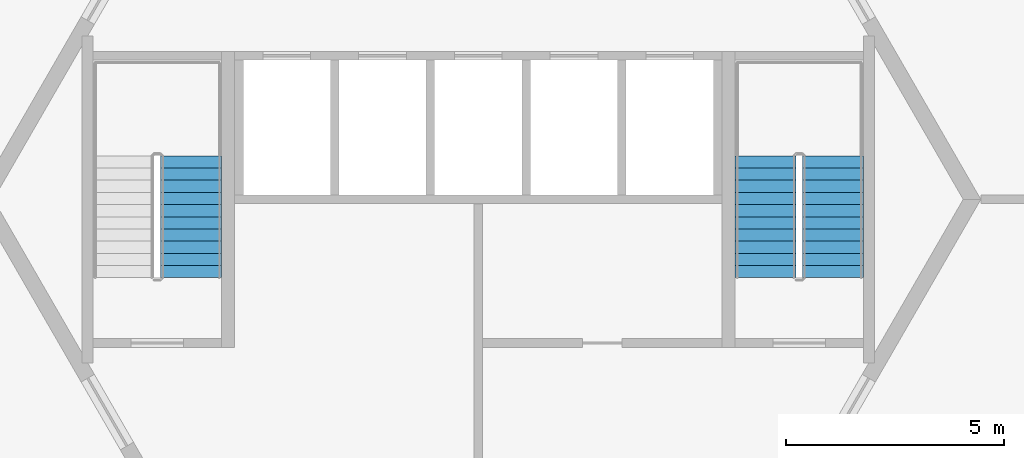
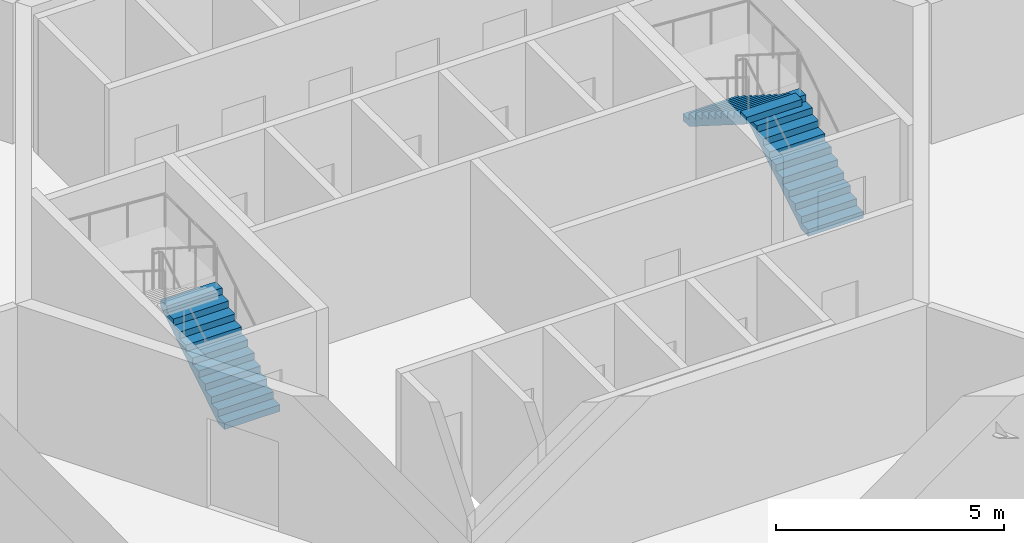
# One storey, part 11 of 12: 3 stair flights, 2 elements without a shape of their own.
"""IFC4 building model written with IfcOpenShell, lengths in metres."""

from ifc_helpers import new_model, si_unit, direction, frame, origin, place, context, subcontext, project, spatial, polyline, outline, extrude, material, type_object, element, aggregate, save


model = new_model("IFC4")

# Units and contexts
model_context = context("Model", 3, precision=1e-05, world=origin(), true_north=direction((0.0, 1.0)))
body_context = subcontext(model_context, "Body", "Model", "MODEL_VIEW")
ifc_project = project(units=[si_unit("LENGTHUNIT", "METRE"), si_unit("AREAUNIT", "SQUARE_METRE"), si_unit("VOLUMEUNIT", "CUBIC_METRE"), si_unit("PLANEANGLEUNIT", "RADIAN"), si_unit("MASSUNIT", "GRAM", prefix="KILO")], contexts=[model_context])

# Site, building, storey
site_placement = place(None, origin())
site = spatial("IfcSite", under=ifc_project, at=site_placement, CompositionType="ELEMENT")
building_placement = place(site_placement, origin())
building = spatial("IfcBuilding", under=site, at=building_placement, Name="Tarnside Tower", CompositionType="ELEMENT")
storey_placement = place(building_placement, frame((0.0, 0.0, 84.300048828125)))
storey = spatial("IfcBuildingStorey", under=building, at=storey_placement, Name="L18", CompositionType="ELEMENT", Elevation=84.300048828125)

# Stair, stair flights
ifc_material = material(Name="Concrete C40/50", Category="concrete")
stair_type = type_object("IfcStairType", Name="Exit stair 1400 clear", PredefinedType="HALF_TURN_STAIR", material=ifc_material)
stair_1_placement = place(storey_placement, origin())
stair_1 = element("IfcStair", 1, at=stair_1_placement, inside=storey, type_object=stair_type, Name="L18 Exit stair 1", PredefinedType="HALF_TURN_STAIR")
stair_flight_type = type_object("IfcStairFlightType", Name="Exit stair flight 1400", PredefinedType="STRAIGHT", material=ifc_material)
stair_flight_1_placement = place(storey_placement, frame((8.14990234375, -1.800048828125, 0.0), z_axis=(0.0, 0.0, 1.0), x_axis=(0.0, 1.0, 0.0)))
stair_flight_1 = element("IfcStairFlight", 2, at=stair_flight_1_placement, type_object=stair_flight_type, Name="ST1 flight 1", NumberOfRisers=11, NumberOfTreads=10, PredefinedType="STRAIGHT", RiserHeight=0.177272727, TreadLength=0.28, context=body_context, shape_type="SweptSolid", body=[
    extrude(outline(polyline([(0.0, 0.0), (0.0, 0.17724609375), (0.280029296875, 0.17724609375), (0.280029296875, 0.3544921875), (0.56005859375, 0.3544921875), (0.56005859375, 0.53173828125), (0.840087890625, 0.53173828125), (0.840087890625, 0.708984375), (1.1201171875, 0.708984375), (1.1201171875, 0.886474609375), (1.39990234375, 0.886474609375), (1.39990234375, 1.063720703125), (1.679931640625, 1.063720703125), (1.679931640625, 1.240966796875), (1.9599609375, 1.240966796875), (1.9599609375, 1.418212890625), (2.239990234375, 1.418212890625), (2.239990234375, 1.595458984375), (2.52001953125, 1.595458984375), (2.52001953125, 1.772705078125), (2.800048828125, 1.772705078125), (2.800048828125, 1.949951171875), (2.800048828125, 1.59521484375), (0.2802734375, 0.0), (0.0, 0.0)])), frame((0.0, 0.699951171875, 0.0), z_axis=(0.0, -1.0, 0.0), x_axis=(1.0, 0.0, 0.0)), (0.0, 0.0, 1.0), 1.39990234375),
])
stair_flight_2_placement = place(storey_placement, frame((6.60009765625, 1.0, 1.949951171875), z_axis=(0.0, 0.0, 1.0), x_axis=(0.0, -1.0, 0.0)))
stair_flight_2 = element("IfcStairFlight", 3, at=stair_flight_2_placement, type_object=stair_flight_type, Name="ST1 flight 2", NumberOfRisers=11, NumberOfTreads=10, PredefinedType="STRAIGHT", RiserHeight=0.177272727, TreadLength=0.28, context=body_context, shape_type="SweptSolid", body=[
    extrude(outline(polyline([(0.0, 0.0), (0.0, 0.17724609375), (0.280029296875, 0.17724609375), (0.280029296875, 0.3544921875), (0.56005859375, 0.3544921875), (0.56005859375, 0.53173828125), (0.840087890625, 0.53173828125), (0.840087890625, 0.708984375), (1.1201171875, 0.708984375), (1.1201171875, 0.886474609375), (1.39990234375, 0.886474609375), (1.39990234375, 1.063720703125), (1.679931640625, 1.063720703125), (1.679931640625, 1.240966796875), (1.9599609375, 1.240966796875), (1.9599609375, 1.418212890625), (2.239990234375, 1.418212890625), (2.239990234375, 1.595458984375), (2.52001953125, 1.595458984375), (2.52001953125, 1.772705078125), (2.800048828125, 1.772705078125), (2.800048828125, 1.949951171875), (2.800048828125, 1.59521484375), (0.2802734375, 0.0), (0.0, 0.0)])), frame((0.0, 0.699951171875, 0.0), z_axis=(0.0, -1.0, 0.0), x_axis=(1.0, 0.0, 0.0)), (0.0, 0.0, 1.0), 1.39990234375),
])
aggregate(stair_1, [stair_flight_1, stair_flight_2])

# Stair, stair flight
stair_2_placement = place(storey_placement, origin())
stair_2 = element("IfcStair", 4, at=stair_2_placement, inside=storey, type_object=stair_type, Name="L18 Exit stair 2", PredefinedType="HALF_TURN_STAIR")
stair_flight_3_placement = place(storey_placement, frame((-6.60009765625, -1.800048828125, 0.0), z_axis=(0.0, 0.0, 1.0), x_axis=(0.0, 1.0, 0.0)))
stair_flight_3 = element("IfcStairFlight", 5, at=stair_flight_3_placement, type_object=stair_flight_type, Name="ST2 flight 1", NumberOfRisers=11, NumberOfTreads=10, PredefinedType="STRAIGHT", RiserHeight=0.177272727, TreadLength=0.28, context=body_context, shape_type="SweptSolid", body=[
    extrude(outline(polyline([(0.0, 0.0), (0.0, 0.17724609375), (0.280029296875, 0.17724609375), (0.280029296875, 0.3544921875), (0.56005859375, 0.3544921875), (0.56005859375, 0.53173828125), (0.840087890625, 0.53173828125), (0.840087890625, 0.708984375), (1.1201171875, 0.708984375), (1.1201171875, 0.886474609375), (1.39990234375, 0.886474609375), (1.39990234375, 1.063720703125), (1.679931640625, 1.063720703125), (1.679931640625, 1.240966796875), (1.9599609375, 1.240966796875), (1.9599609375, 1.418212890625), (2.239990234375, 1.418212890625), (2.239990234375, 1.595458984375), (2.52001953125, 1.595458984375), (2.52001953125, 1.772705078125), (2.800048828125, 1.772705078125), (2.800048828125, 1.949951171875), (2.800048828125, 1.59521484375), (0.2802734375, 0.0), (0.0, 0.0)])), frame((0.0, 0.699951171875, 0.0), z_axis=(0.0, -1.0, 0.0), x_axis=(1.0, 0.0, 0.0)), (0.0, 0.0, 1.0), 1.39990234375),
])
aggregate(stair_2, [stair_flight_3])

save(model, "model.ifc")
